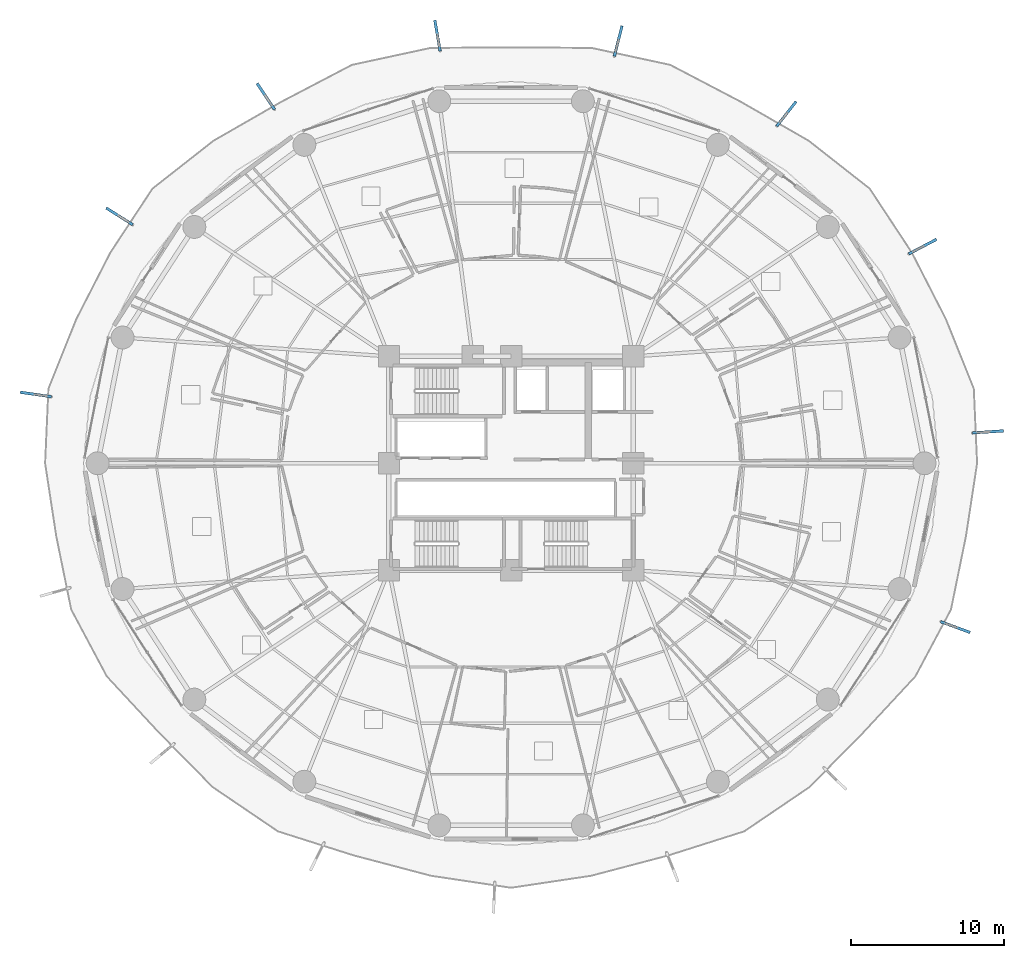
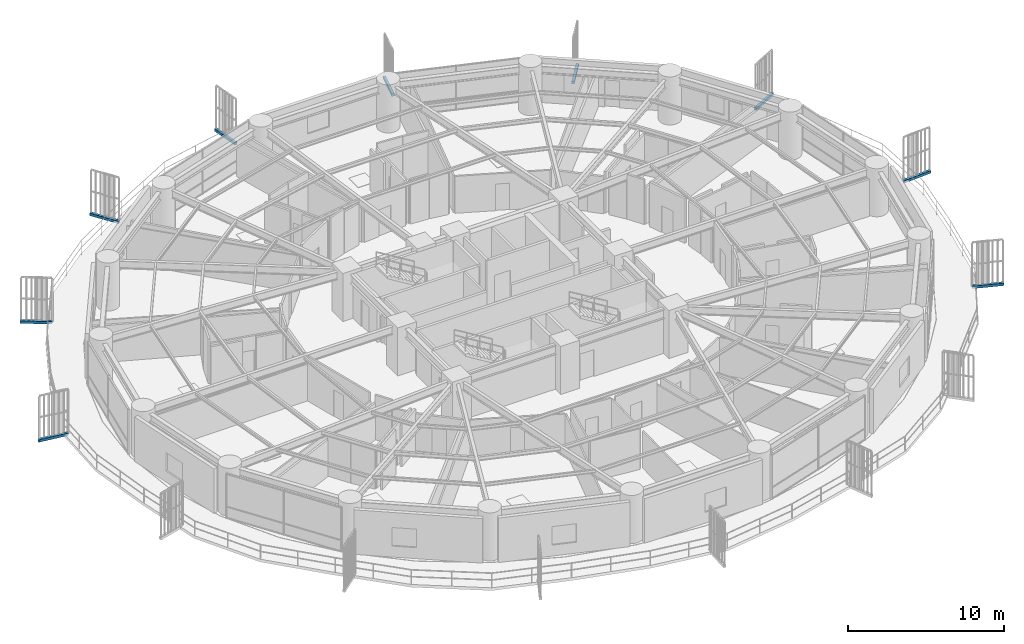
# One storey, part 29 of 33: 9 discrete accessories.
"""IFC4 building model written with IfcOpenShell, lengths in metres."""

from ifc_helpers import new_model, si_unit, direction, frame, origin, origin_2d, place, context, subcontext, project, spatial, rectangle, extrude, source, transform, mapped, material, type_object, element, save


model = new_model("IFC4")

# Units and contexts
model_context = context("Model", 3, precision=1e-05, world=origin(), true_north=direction((0.0, 1.0)))
body_context = subcontext(model_context, "Body", "Model", "MODEL_VIEW")
ifc_project = project(units=[si_unit("LENGTHUNIT", "METRE"), si_unit("AREAUNIT", "SQUARE_METRE"), si_unit("VOLUMEUNIT", "CUBIC_METRE"), si_unit("PLANEANGLEUNIT", "RADIAN"), si_unit("MASSUNIT", "GRAM", prefix="KILO")], contexts=[model_context])

# Site, building, storey
site_placement = place(None, origin())
site = spatial("IfcSite", under=ifc_project, at=site_placement, CompositionType="ELEMENT")
building_placement = place(site_placement, origin())
building = spatial("IfcBuilding", under=site, at=building_placement, Name="Kelanora Arch Commons", CompositionType="ELEMENT")
storey_placement = place(building_placement, frame((0.0, 0.0, 26.25)))
storey = spatial("IfcBuildingStorey", under=building, at=storey_placement, Name="L06", CompositionType="ELEMENT", Elevation=26.25)

# Discrete accessories
ifc_material = material(Name="Stainless steel 316 marine fin bracket", Category="steel")
discrete_accessory_type = type_object("IfcDiscreteAccessoryType", Name="ACC-FIN-BRK", PredefinedType="BRACKET", material=ifc_material)
shared_shape = source(origin(), body_context, "Body", "SweptSolid", [
    extrude(rectangle(XDim=2.052490234375, YDim=0.179931640625, at=origin_2d()), origin(), (0.0, 0.0, 1.0), 0.199951171875),
])
for number, where, z_axis, x_axis, name in (
    (1, (105.23828125, 60.0556640625, -0.16015625), (0.0, 0.0, 1.0), (0.997836032447, 0.065751443712, 0.0), "Sweeping Fin Cantilever Spine Bracket L06-00"),
    (2, (100.95068359375, 72.1884765625, -0.16015625), (0.0, 0.0, 1.0), (0.884825053421, 0.465923410914, 0.0), "Sweeping Fin Cantilever Spine Bracket L06-01"),
    (3, (92.030517578125, 80.8837890625, -0.16015625), (0.0, 0.0, 1.0), (0.618819784276, 0.785532987588, 0.0), "Sweeping Fin Cantilever Spine Bracket L06-02"),
    (4, (81.015625, 85.654052734375, -0.16015625), (0.0, 0.0, 1.0), (0.245814952628, 0.969316774365, 0.0), "Sweeping Fin Cantilever Spine Bracket L06-03"),
    (5, (69.18017578125, 86.00537109375, -0.16015625), (0.0, 0.0, 1.0), (-0.169693517489, 0.985496884887, 0.0), "Sweeping Fin Cantilever Spine Bracket L06-04"),
    (6, (57.93994140625, 82.02197265625, -0.16015625), (0.0, 0.0, 1.0), (-0.555860436814, 0.831275631055, 0.0), "Sweeping Fin Cantilever Spine Bracket L06-05"),
    (7, (48.352783203125, 74.1728515625, -0.16015625), (0.0, 0.0, 1.0), (-0.845820942125, 0.533466900438, 0.0), "Sweeping Fin Cantilever Spine Bracket L06-06"),
    (8, (42.873291015625, 62.5048828125, -0.16015625), (0.0, 0.0, 1.0), (-0.989676415933, 0.143319893055, 0.0), "Sweeping Fin Cantilever Spine Bracket L06-07"),
    (9, (103.10302734375, 47.27197265625, -0.16015625), (0.0, 0.0, 1.0), (0.938251730455, -0.345953306528, 0.0), "Sweeping Fin Cantilever Spine Bracket L06-14"),
):
    element("IfcDiscreteAccessory", number, at=place(storey_placement, frame(where, z_axis=z_axis, x_axis=x_axis)), inside=storey, type_object=discrete_accessory_type, Name=name, PredefinedType="BRACKET", context=body_context, shape_type="MappedRepresentation", body=[
        mapped(shared_shape, transform((0.0, 0.0, 0.0), scale=1.0)),
    ])

save(model, "model.ifc")
